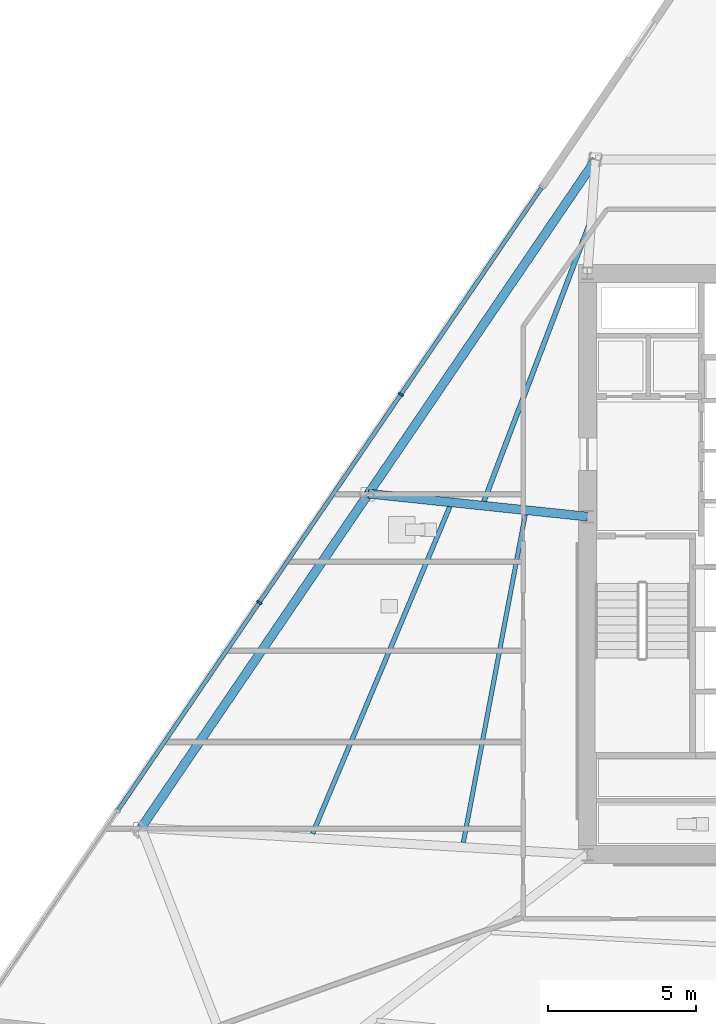
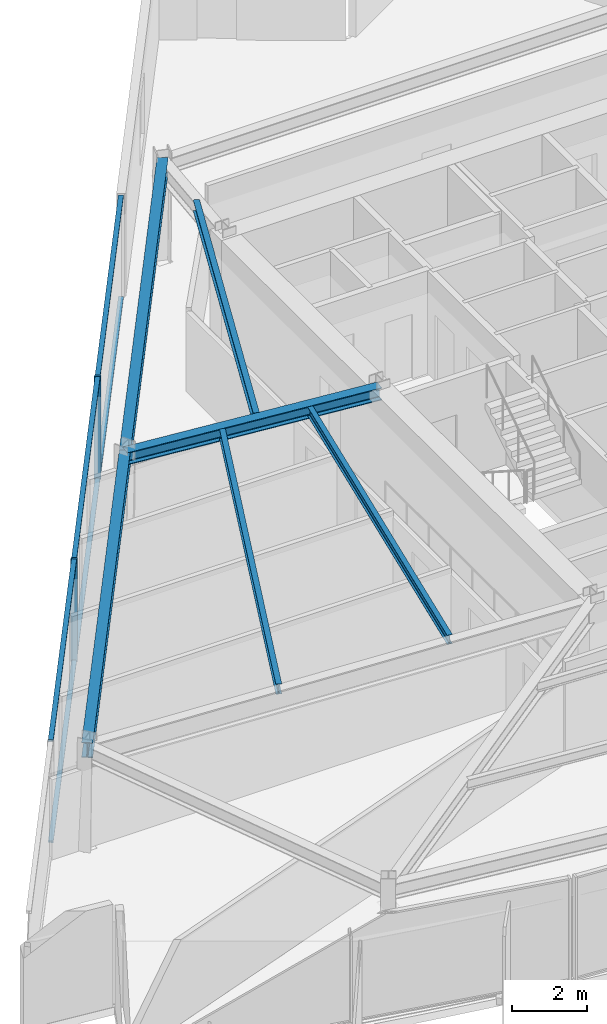
# One storey, part 3 of 15: 8 members, 6 beams, 1 element without a shape of its own.
"""IFC4 building model written with IfcOpenShell, lengths in metres."""

from ifc_helpers import new_model, si_unit, direction, frame, origin, origin_2d, place, context, subcontext, project, spatial, rectangle, i_section, extrude, material, material_profile, profile_set, type_object, element, aggregate, save


model = new_model("IFC4")

# Units and contexts
model_context = context("Model", 3, precision=1e-05, world=origin(), true_north=direction((0.0, 1.0)))
body_context = subcontext(model_context, "Body", "Model", "MODEL_VIEW")
ifc_project = project(units=[si_unit("LENGTHUNIT", "METRE"), si_unit("AREAUNIT", "SQUARE_METRE"), si_unit("VOLUMEUNIT", "CUBIC_METRE"), si_unit("PLANEANGLEUNIT", "RADIAN"), si_unit("MASSUNIT", "GRAM", prefix="KILO")], contexts=[model_context])

# Site, building, storey
site_placement = place(None, origin())
site = spatial("IfcSite", under=ifc_project, at=site_placement, CompositionType="ELEMENT")
building_placement = place(site_placement, origin())
building = spatial("IfcBuilding", under=site, at=building_placement, Name="Savorim Split Tower", CompositionType="ELEMENT")
storey_placement = place(building_placement, frame((0.0, 0.0, 89.699951171875)))
storey = spatial("IfcBuildingStorey", under=building, at=storey_placement, Name="L23", CompositionType="ELEMENT", Elevation=89.699951171875)

# Beams
ifc_material_1 = material(Name="Steel S355", Category="steel")
ifc_material_profile_1 = material_profile(ifc_material_1, i_section(OverallWidth=0.14990234375, OverallDepth=0.300048828125, WebThickness=0.007080078125, FlangeThickness=0.0107421875, FilletRadius=0.014892578125, at=origin_2d()), Name="IPE 300")
ifc_profile_set_1 = profile_set([ifc_material_profile_1], Name="Steel S355")
beam_type_1 = type_object("IfcBeamType", Name="BM-JST-IPE300", PredefinedType="JOIST", material=ifc_profile_set_1)
beam_1_placement = place(storey_placement, frame((-9.797607421875, 2.058837890625, 3.199951171875), z_axis=(-0.185556220515, -0.982633649448, 0.0), x_axis=(0.982633649448, -0.185556220515, 0.0)))
element("IfcBeam", 1, at=beam_1_placement, inside=storey, type_object=beam_type_1, Name="L23 Secondary Floor Joist JS-11", PredefinedType="JOIST", context=body_context, shape_type="SweptSolid", body=[
    extrude(i_section(OverallWidth=0.14990234375, OverallDepth=0.300048828125, WebThickness=0.007080078125, FlangeThickness=0.0107421875, FilletRadius=0.014892578125, at=origin_2d()), origin(), (0.0, 0.0, 1.0), 11.242919921875),
])
ifc_material_profile_2 = material_profile(ifc_material_1, i_section(OverallWidth=0.159912109375, OverallDepth=0.330078125, WebThickness=0.007568359375, FlangeThickness=0.011474609375, FilletRadius=0.01806640625, at=origin_2d()), Name="IPE 330")
ifc_profile_set_2 = profile_set([ifc_material_profile_2], Name="Steel S355")
beam_type_2 = type_object("IfcBeamType", Name="BM-JST-IPE330", PredefinedType="JOIST", material=ifc_profile_set_2)
beam_2_placement = place(storey_placement, frame((-12.3408203125, 2.3310546875, 3.18505859375), z_axis=(-0.387127268569, -0.922026289175, 0.0), x_axis=(0.922026289175, -0.387127268569, 0.0)))
element("IfcBeam", 2, at=beam_2_placement, inside=storey, type_object=beam_type_2, Name="L23 Secondary Floor Joist JS-10", PredefinedType="JOIST", context=body_context, shape_type="SweptSolid", body=[
    extrude(i_section(OverallWidth=0.159912109375, OverallDepth=0.330078125, WebThickness=0.007568359375, FlangeThickness=0.011474609375, FilletRadius=0.01806640625, at=origin_2d()), origin(), (0.0, 0.0, 1.0), 11.953369140625),
])
ifc_material_profile_3 = material_profile(ifc_material_1, i_section(OverallWidth=0.169921875, OverallDepth=0.360107421875, WebThickness=0.008056640625, FlangeThickness=0.0126953125, FilletRadius=0.01806640625, at=origin_2d()), Name="IPE 360")
ifc_profile_set_3 = profile_set([ifc_material_profile_3], Name="Steel S355")
beam_type_3 = type_object("IfcBeamType", Name="BM-JST-IPE360", PredefinedType="JOIST", material=ifc_profile_set_3)
beam_3_placement = place(storey_placement, frame((-7.623291015625, 11.89208984375, 3.170166015625), z_axis=(-0.355506244141, -0.934673905903, 0.0), x_axis=(0.934673905903, -0.355506244141, 0.0)))
element("IfcBeam", 3, at=beam_3_placement, inside=storey, type_object=beam_type_3, Name="L23 Secondary Floor Joist JS-09", PredefinedType="JOIST", context=body_context, shape_type="SweptSolid", body=[
    extrude(i_section(OverallWidth=0.169921875, OverallDepth=0.360107421875, WebThickness=0.008056640625, FlangeThickness=0.0126953125, FilletRadius=0.01806640625, at=origin_2d()), origin(), (0.0, 0.0, 1.0), 10.027099609375),
])
ifc_material_profile_4 = material_profile(ifc_material_1, i_section(OverallWidth=0.300048828125, OverallDepth=0.39990234375, WebThickness=0.013427734375, FlangeThickness=0.02392578125, FilletRadius=0.027099609375, at=origin_2d()), Name="HEB 400")
ifc_profile_set_4 = profile_set([ifc_material_profile_4], Name="Steel S355")
beam_type_4 = type_object("IfcBeamType", Name="BM-PRI-HEB400", PredefinedType="BEAM", material=ifc_profile_set_4)
beam_4_placement = place(storey_placement, frame((-15.085205078125, 2.77197265625, 3.150146484375), z_axis=(0.994581217062, -0.103962506061, 0.0), x_axis=(0.103962506061, 0.994581217062, 0.0)))
element("IfcBeam", 4, at=beam_4_placement, inside=storey, type_object=beam_type_4, Name="L23 Primary Floor Girder RG-09", PredefinedType="BEAM", context=body_context, shape_type="SweptSolid", body=[
    extrude(i_section(OverallWidth=0.300048828125, OverallDepth=0.39990234375, WebThickness=0.013427734375, FlangeThickness=0.02392578125, FilletRadius=0.027099609375, at=origin_2d()), origin(), (0.0, 0.0, 1.0), 7.425537109375),
])
ifc_material_profile_5 = material_profile(ifc_material_1, i_section(OverallWidth=0.300048828125, OverallDepth=0.489990234375, WebThickness=0.011962890625, FlangeThickness=0.02294921875, FilletRadius=0.027099609375, at=origin_2d()), Name="HEA 500")
ifc_profile_set_5 = profile_set([ifc_material_profile_5], Name="Steel S355")
beam_type_5 = type_object("IfcBeamType", Name="BM-SPN-HEA500", PredefinedType="SPANDREL", material=ifc_profile_set_5)
for number, where, z_axis, x_axis, name in (
    (5, (-7.421875, 14.036865234375, 3.10498046875), (-0.562470775275, -0.826817166586, 0.0), (0.826817166586, -0.562470775275, 0.0), "L23 Perimeter Spandrel Beam 8"),
    (6, (-15.085205078125, 2.77197265625, 3.10498046875), (-0.562470775275, -0.826817166586, 0.0), (0.826817166586, -0.562470775275, 0.0), "L23 Perimeter Spandrel Beam 9"),
):
    element("IfcBeam", number, at=place(storey_placement, frame(where, z_axis=z_axis, x_axis=x_axis)), inside=storey, type_object=beam_type_5, Name=name, PredefinedType="SPANDREL", context=body_context, shape_type="SweptSolid", body=[
        extrude(i_section(OverallWidth=0.300048828125, OverallDepth=0.489990234375, WebThickness=0.011962890625, FlangeThickness=0.02294921875, FilletRadius=0.027099609375, at=origin_2d()), origin(), (0.0, 0.0, 1.0), 13.62451171875),
    ])

# Curtain wall, members
ifc_material_2 = material(Name="Dark Ceramic-Fritted Insulated Glass", Category="glass")
curtain_wall_type = type_object("IfcCurtainWallType", Name="CW-TWR-FRIT-A", PredefinedType="NOTDEFINED", material=ifc_material_2)
curtain_wall_placement = place(storey_placement, origin())
curtain_wall = element("IfcCurtainWall", 7, at=curtain_wall_placement, inside=storey, type_object=curtain_wall_type, Name="L23 Curtain Wall CW-L23-WEST", PredefinedType="NOTDEFINED")
ifc_material_3 = material(Name="Charcoal Anodised Aluminium", Category="aluminium")
ifc_material_profile_6 = material_profile(ifc_material_3, rectangle(XDim=0.179931640625, YDim=0.06494140625, at=origin_2d()), Name="ALU-M 180x65")
ifc_profile_set_6 = profile_set([ifc_material_profile_6], Name="Charcoal Anodised Aluminium")
member_type_1 = type_object("IfcMemberType", Name="CWM-180x65", PredefinedType="MULLION", material=ifc_profile_set_6)
member_1_placement = place(storey_placement, frame((-13.9912109375, 6.1181640625, 0.0), z_axis=(0.0, 0.0, 1.0), x_axis=(0.826819383915, -0.562467515846, 0.0)))
member_1 = element("IfcMember", 8, at=member_1_placement, type_object=member_type_1, Name="CW-02 mullion 2", PredefinedType="MULLION", context=body_context, shape_type="SweptSolid", body=[
    extrude(rectangle(XDim=0.179931640625, YDim=0.06494140625, at=origin_2d()), origin(), (0.0, 0.0, 1.0), 3.35009765625),
])
member_2_placement = place(storey_placement, frame((-18.76513671875, -0.899658203125, 0.0), z_axis=(0.0, 0.0, 1.0), x_axis=(0.826819383915, -0.562467515846, 0.0)))
member_2 = element("IfcMember", 9, at=member_2_placement, type_object=member_type_1, Name="CW-02 mullion 3", PredefinedType="MULLION", context=body_context, shape_type="SweptSolid", body=[
    extrude(rectangle(XDim=0.179931640625, YDim=0.06494140625, at=origin_2d()), origin(), (0.0, 0.0, 1.0), 3.35009765625),
])
ifc_material_profile_7 = material_profile(ifc_material_3, rectangle(XDim=0.139892578125, YDim=0.054931640625, at=origin_2d()), Name="ALU-T 140x55")
ifc_profile_set_7 = profile_set([ifc_material_profile_7], Name="Charcoal Anodised Aluminium")
member_type_2 = type_object("IfcMemberType", Name="CWT-140x55", PredefinedType="USERDEFINED", material=ifc_profile_set_7)
member_3_placement = place(storey_placement, frame((-9.253662109375, 13.082275390625, 0.027587890625), z_axis=(-0.562465211689, -0.826820951379, 0.0), x_axis=(0.826820951379, -0.562465211689, 0.0)))
member_3 = element("IfcMember", 10, at=member_3_placement, type_object=member_type_2, Name="CW-02 transom 1.1", ObjectType="TRANSOM", PredefinedType="USERDEFINED", context=body_context, shape_type="SweptSolid", body=[
    extrude(rectangle(XDim=0.139892578125, YDim=0.054931640625, at=origin_2d()), origin(), (0.0, 0.0, 1.0), 8.390380859375),
])
member_4_placement = place(storey_placement, frame((-9.253662109375, 13.082275390625, 3.322509765625), z_axis=(-0.562465211689, -0.826820951379, 0.0), x_axis=(0.826820951379, -0.562465211689, 0.0)))
member_4 = element("IfcMember", 11, at=member_4_placement, type_object=member_type_2, Name="CW-02 transom 1.2", ObjectType="TRANSOM", PredefinedType="USERDEFINED", context=body_context, shape_type="SweptSolid", body=[
    extrude(rectangle(XDim=0.139892578125, YDim=0.054931640625, at=origin_2d()), origin(), (0.0, 0.0, 1.0), 8.390380859375),
])
member_5_placement = place(storey_placement, frame((-14.009521484375, 6.09130859375, 0.027587890625), z_axis=(-0.562468576469, -0.826818662395, 0.0), x_axis=(0.826818662395, -0.562468576469, 0.0)))
member_5 = element("IfcMember", 12, at=member_5_placement, type_object=member_type_2, Name="CW-02 transom 2.1", ObjectType="TRANSOM", PredefinedType="USERDEFINED", context=body_context, shape_type="SweptSolid", body=[
    extrude(rectangle(XDim=0.139892578125, YDim=0.054931640625, at=origin_2d()), origin(), (0.0, 0.0, 1.0), 8.4228515625),
])
member_6_placement = place(storey_placement, frame((-14.009521484375, 6.09130859375, 3.322509765625), z_axis=(-0.562468576469, -0.826818662395, 0.0), x_axis=(0.826818662395, -0.562468576469, 0.0)))
member_6 = element("IfcMember", 13, at=member_6_placement, type_object=member_type_2, Name="CW-02 transom 2.2", ObjectType="TRANSOM", PredefinedType="USERDEFINED", context=body_context, shape_type="SweptSolid", body=[
    extrude(rectangle(XDim=0.139892578125, YDim=0.054931640625, at=origin_2d()), origin(), (0.0, 0.0, 1.0), 8.4228515625),
])
member_7_placement = place(storey_placement, frame((-18.783447265625, -0.926513671875, 0.027587890625), z_axis=(-0.562482056819, -0.826809491816, 0.0), x_axis=(0.826809491816, -0.562482056819, 0.0)))
member_7 = element("IfcMember", 14, at=member_7_placement, type_object=member_type_2, Name="CW-02 transom 3.1", ObjectType="TRANSOM", PredefinedType="USERDEFINED", context=body_context, shape_type="SweptSolid", body=[
    extrude(rectangle(XDim=0.139892578125, YDim=0.054931640625, at=origin_2d()), origin(), (0.0, 0.0, 1.0), 8.422607421875),
])
member_8_placement = place(storey_placement, frame((-18.783447265625, -0.926513671875, 3.322509765625), z_axis=(-0.562482056819, -0.826809491816, 0.0), x_axis=(0.826809491816, -0.562482056819, 0.0)))
member_8 = element("IfcMember", 15, at=member_8_placement, type_object=member_type_2, Name="CW-02 transom 3.2", ObjectType="TRANSOM", PredefinedType="USERDEFINED", context=body_context, shape_type="SweptSolid", body=[
    extrude(rectangle(XDim=0.139892578125, YDim=0.054931640625, at=origin_2d()), origin(), (0.0, 0.0, 1.0), 8.422607421875),
])
aggregate(curtain_wall, [member_1, member_2, member_3, member_4, member_5, member_6, member_7, member_8])

save(model, "model.ifc")
